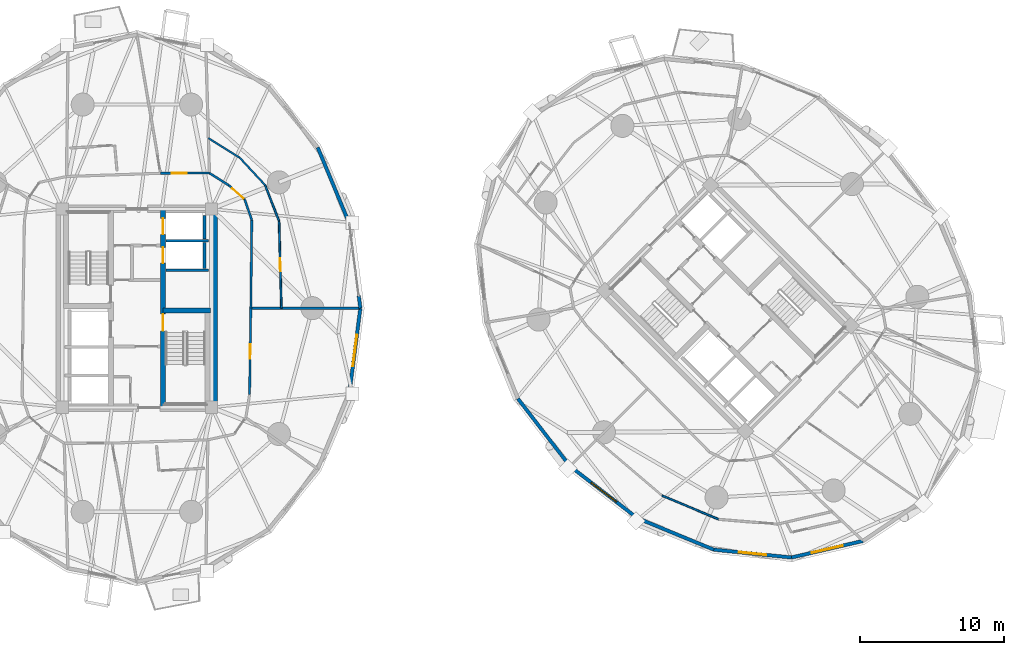
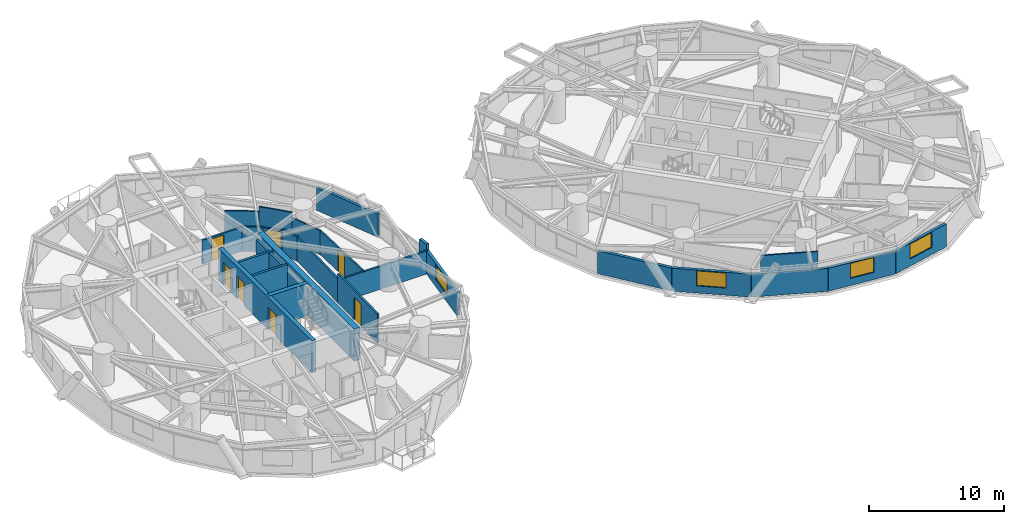
# One storey, part 12 of 20: 27 walls, 7 doors, 4 windows, 11 openings.
"""IFC4 building model written with IfcOpenShell, lengths in metres."""

from ifc_helpers import new_model, si_unit, direction, frame, frame_2d, origin, place, context, subcontext, project, spatial, rectangle, extrude, source, transform, mapped, material, layer, layer_set, type_object, element, fill, save


model = new_model("IFC4")

# Units and contexts
model_context = context("Model", 3, precision=1e-05, world=origin(), true_north=direction((0.0, 1.0)))
body_context = subcontext(model_context, "Body", "Model", "MODEL_VIEW")
ifc_project = project(units=[si_unit("LENGTHUNIT", "METRE"), si_unit("AREAUNIT", "SQUARE_METRE"), si_unit("VOLUMEUNIT", "CUBIC_METRE"), si_unit("PLANEANGLEUNIT", "RADIAN"), si_unit("MASSUNIT", "GRAM", prefix="KILO")], contexts=[model_context])

# Site, building, storey
site_placement = place(None, origin())
site = spatial("IfcSite", under=ifc_project, at=site_placement, CompositionType="ELEMENT")
building_placement = place(site_placement, origin())
building = spatial("IfcBuilding", under=site, at=building_placement, Name="Cununo Teusaquillo Station Towers", CompositionType="ELEMENT")
storey_placement = place(building_placement, frame((0.0, 0.0, 39.4599609375)))
storey = spatial("IfcBuildingStorey", under=building, at=storey_placement, Name="L11", CompositionType="ELEMENT", Elevation=39.4599609375)

# Walls
ifc_material_1 = material(Name="Concrete C50/60", Category="concrete")
ifc_layer_1 = layer(ifc_material_1, 0.199951171875)
ifc_layer_set_1 = layer_set([ifc_layer_1], Name="Concrete C50/60")
wall_type_1 = type_object("IfcWallType", Name="WL-CORE-200", PredefinedType="SHEAR", material=ifc_layer_set_1)
for number, where, z_axis, x_axis, name in (
    (1, (18.510009765625, 27.1298828125, 0.0), (0.0, 0.0, 1.0), (1.0, 0.0, 0.0), "L11 Tower A Low-Rise Lift Hoistway South Shear Wall"),
    (2, (18.510009765625, 29.175048828125, 0.0), (0.0, 0.0, 1.0), (1.0, 0.0, 0.0), "L11 Tower A Low-Rise Lift Hoistway Divider Shear Wall"),
):
    element("IfcWall", number, at=place(storey_placement, frame(where, z_axis=z_axis, x_axis=x_axis)), inside=storey, type_object=wall_type_1, Name=name, PredefinedType="SHEAR", context=body_context, shape_type="SweptSolid", body=[
        extrude(rectangle(XDim=2.969970703125, YDim=0.199951171875, at=frame_2d((1.48486328125, 0.0))), origin(), (0.0, 0.0, 1.0), 2.91015625),
    ])
wall_1_placement = place(storey_placement, frame((21.179931640625, 27.25, 0.0), z_axis=(0.0, 0.0, 1.0), x_axis=(0.0, 1.0, 0.0)))
element("IfcWall", 3, at=wall_1_placement, inside=storey, type_object=wall_type_1, Name="L11 Tower A Low-Rise Lift 1 Shaft Rear Shear Wall", PredefinedType="SHEAR", context=body_context, shape_type="SweptSolid", body=[
    extrude(rectangle(XDim=1.804931640625, YDim=0.199951171875, at=frame_2d((0.90234375, 0.0))), origin(), (0.0, 0.0, 1.0), 2.91015625),
])
wall_2_placement = place(storey_placement, frame((21.179931640625, 29.294921875, 0.0), z_axis=(0.0, 0.0, 1.0), x_axis=(0.0, 1.0, 0.0)))
element("IfcWall", 4, at=wall_2_placement, inside=storey, type_object=wall_type_1, Name="L11 Tower A Low-Rise Lift 2 Shaft Rear Shear Wall", PredefinedType="SHEAR", context=body_context, shape_type="SweptSolid", body=[
    extrude(rectangle(XDim=1.635009765625, YDim=0.199951171875, at=frame_2d((0.8173828125, 0.0))), origin(), (0.0, 0.0, 1.0), 2.91015625),
])

# Wall, openings, doors
ifc_material_2 = material(Name="Concrete C50/60", Category="concrete")
ifc_layer_2 = layer(ifc_material_2, 0.35009765625)
ifc_layer_set_2 = layer_set([ifc_layer_2], Name="Concrete C50/60")
wall_type_2 = type_object("IfcWallType", Name="WL-CORE-350", PredefinedType="SHEAR", material=ifc_layer_set_2)
wall_3_placement = place(storey_placement, frame((18.31494140625, 17.60009765625, 0.0), z_axis=(0.0, 0.0, 1.0), x_axis=(0.0, 1.0, 0.0)))
wall_3 = element("IfcWall", 5, at=wall_3_placement, inside=storey, type_object=wall_type_2, Name="L11 Tower A Core Shear Wall IE", PredefinedType="SHEAR", context=body_context, shape_type="SweptSolid", body=[
    extrude(rectangle(XDim=13.7998046875, YDim=0.35009765625, at=frame_2d((6.89990234375, 0.0))), origin(), (0.0, 0.0, 1.0), 2.91015625),
])
shared_shape_1 = source(origin(), body_context, "Body", "SweptSolid", [
    extrude(rectangle(XDim=1.10009765625, YDim=2.014892578125, at=frame_2d((0.550048828125, 1.00732421875))), frame((0.0, 0.18505859375, 0.0), z_axis=(0.0, -1.0, 0.0), x_axis=(1.0, 0.0, 0.0)), (0.0, 0.0, 1.0), 0.3701171875),
])
opening_1_placement = place(wall_3_placement, frame((10.02490234375, 0.0, 0.0)))
opening_1 = element("IfcOpeningElement", 6, at=opening_1_placement, cuts=wall_3, Name="Opening LD-01", PredefinedType="OPENING", context=body_context, shape_type="MappedRepresentation", body=[
    mapped(shared_shape_1, transform((0.0, 0.0, 0.0), x_axis=(1.0, 0.0, 0.0), y_axis=(0.0, 1.0, 0.0), z_axis=(0.0, 0.0, 1.0), scale=1.0)),
])
opening_2_placement = place(wall_3_placement, frame((12.02490234375, 0.0, 0.0)))
opening_2 = element("IfcOpeningElement", 7, at=opening_2_placement, cuts=wall_3, Name="Opening LD-01", PredefinedType="OPENING", context=body_context, shape_type="MappedRepresentation", body=[
    mapped(shared_shape_1, transform((0.0, 0.0, 0.0), x_axis=(1.0, 0.0, 0.0), y_axis=(0.0, 1.0, 0.0), z_axis=(0.0, 0.0, 1.0), scale=1.0)),
])
shared_shape_2 = source(origin(), body_context, "Body", "SweptSolid", [
    extrude(rectangle(XDim=1.14990234375, YDim=2.02001953125, at=frame_2d((0.574951171875, 1.010009765625))), frame((0.0, 0.18505859375, 0.0), z_axis=(0.0, -1.0, 0.0), x_axis=(1.0, 0.0, 0.0)), (0.0, 0.0, 1.0), 0.3701171875),
])
opening_3_placement = place(wall_3_placement, frame((5.330078125, 0.0, 0.0)))
opening_3 = element("IfcOpeningElement", 8, at=opening_3_placement, cuts=wall_3, Name="Opening D-ST1", PredefinedType="OPENING", context=body_context, shape_type="MappedRepresentation", body=[
    mapped(shared_shape_2, transform((0.0, 0.0, 0.0), x_axis=(1.0, 0.0, 0.0), y_axis=(0.0, 1.0, 0.0), z_axis=(0.0, 0.0, 1.0), scale=1.0)),
])
ifc_material_3 = material(Name="Galvanised fire-rated hollow steel door assembly", Category="steel")
door_type_1 = type_object("IfcDoorType", Name="DR-LIFT-1100", OperationType="SLIDING_TO_LEFT", PredefinedType="DOOR", material=ifc_material_3)
shared_shape_3 = source(origin(), body_context, "Body", "SweptSolid", [
    extrude(rectangle(XDim=1.10009765625, YDim=2.014892578125, at=frame_2d((0.550048828125, 1.00732421875))), frame((0.0, 0.02490234375, 0.0), z_axis=(0.0, -1.0, 0.0), x_axis=(1.0, 0.0, 0.0)), (0.0, 0.0, 1.0), 0.050048828125),
])
door_1_placement = place(opening_1_placement, origin())
door_1 = element("IfcDoor", 9, at=door_1_placement, inside=storey, type_object=door_type_1, Name="L11 Lift PL-T1-L1 Sliding Landing Door", OperationType="SLIDING_TO_LEFT", OverallHeight=2.014892578125, OverallWidth=1.10009765625, PredefinedType="DOOR", context=body_context, shape_type="MappedRepresentation", body=[
    mapped(shared_shape_3, transform((0.0, 0.0, 0.0), x_axis=(1.0, 0.0, 0.0), y_axis=(0.0, 1.0, 0.0), z_axis=(0.0, 0.0, 1.0), scale=1.0)),
])
fill(opening_1, door_1)
door_2_placement = place(opening_2_placement, origin())
door_2 = element("IfcDoor", 10, at=door_2_placement, inside=storey, type_object=door_type_1, Name="L11 Lift PL-T1-L2 Sliding Landing Door", OperationType="SLIDING_TO_RIGHT", OverallHeight=2.014892578125, OverallWidth=1.10009765625, PredefinedType="DOOR", context=body_context, shape_type="MappedRepresentation", body=[
    mapped(shared_shape_3, transform((0.0, 0.0, 0.0), x_axis=(1.0, 0.0, 0.0), y_axis=(0.0, 1.0, 0.0), z_axis=(0.0, 0.0, 1.0), scale=1.0)),
])
fill(opening_2, door_2)
ifc_material_4 = material(Name="Galvanised fire-rated hollow steel door assembly", Category="steel")
door_type_2 = type_object("IfcDoorType", Name="DR-STAIR-1150", OperationType="NOTDEFINED", PredefinedType="DOOR", material=ifc_material_4)
shared_shape_4 = source(origin(), body_context, "Body", "SweptSolid", [
    extrude(rectangle(XDim=1.14990234375, YDim=2.02001953125, at=frame_2d((0.574951171875, 1.010009765625))), frame((0.0, 0.02490234375, 0.0), z_axis=(0.0, -1.0, 0.0), x_axis=(1.0, 0.0, 0.0)), (0.0, 0.0, 1.0), 0.050048828125),
])
door_3_placement = place(opening_3_placement, origin())
door_3 = element("IfcDoor", 11, at=door_3_placement, inside=storey, type_object=door_type_2, Name="L11 Tower A Exit Stair 2 Fire Door", OperationType="SINGLE_SWING_LEFT", OverallHeight=2.02001953125, OverallWidth=1.14990234375, PredefinedType="DOOR", context=body_context, shape_type="MappedRepresentation", body=[
    mapped(shared_shape_4, transform((0.0, 0.0, 0.0), x_axis=(1.0, 0.0, 0.0), y_axis=(0.0, 1.0, 0.0), z_axis=(0.0, 0.0, 1.0), scale=1.0)),
])
fill(opening_3, door_3)

# Walls
wall_4_placement = place(storey_placement, frame((18.31494140625, 24.344970703125, 0.0), z_axis=(0.0, 0.0, 1.0), x_axis=(1.0, 0.0, 0.0)))
element("IfcWall", 12, at=wall_4_placement, inside=storey, type_object=wall_type_2, Name="L11 Tower A Core Shear Wall ST2N", PredefinedType="SHEAR", context=body_context, shape_type="SweptSolid", body=[
    extrude(rectangle(XDim=3.28515625, YDim=0.35009765625, at=frame_2d((1.642578125, 0.0))), origin(), (0.0, 0.0, 1.0), 2.91015625),
])
ifc_material_5 = material(Name="Concrete C60/75", Category="concrete")
ifc_layer_3 = layer(ifc_material_5, 0.5)
ifc_layer_set_3 = layer_set([ifc_layer_3], Name="Concrete C60/75")
wall_type_3 = type_object("IfcWallType", Name="WL-CORE-500", PredefinedType="SHEAR", material=ifc_layer_set_3)
wall_5_placement = place(storey_placement, frame((21.85009765625, 17.35009765625, 0.0), z_axis=(0.0, 0.0, 1.0), x_axis=(0.0, 1.0, 0.0)))
element("IfcWall", 13, at=wall_5_placement, inside=storey, type_object=wall_type_3, Name="L11 Tower A Core Shear Wall E", PredefinedType="SHEAR", context=body_context, shape_type="SweptSolid", body=[
    extrude(rectangle(XDim=14.2998046875, YDim=0.5, at=frame_2d((7.14990234375, 0.0))), origin(), (0.0, 0.0, 1.0), 2.91015625),
])
ifc_material_6 = material(Name="Precast concrete C40/50", Category="concrete")
ifc_layer_4 = layer(ifc_material_6, 0.239990234375)
ifc_layer_set_4 = layer_set([ifc_layer_4], Name="Precast concrete C40/50")
wall_type_4 = type_object("IfcWallType", Name="WL-EXT-240", PredefinedType="SOLIDWALL", material=ifc_layer_set_4)
wall_6_placement = place(storey_placement, frame((31.88720703125, 25.36279296875, 0.0), z_axis=(0.0, 0.0, 1.0), x_axis=(0.128523364007, -0.991706481225, 0.0)))
element("IfcWall", 14, at=wall_6_placement, inside=storey, type_object=wall_type_4, Name="L11 Tower A Column Pier Cladding Wall C00-PB", PredefinedType="SOLIDWALL", context=body_context, shape_type="SweptSolid", body=[
    extrude(rectangle(XDim=0.8701171875, YDim=0.239990234375, at=frame_2d((0.43505859375, 0.0))), origin(), (0.0, 0.0, 1.0), 2.635009765625),
])
wall_7_placement = place(storey_placement, frame((29.0390625, 35.650390625, 0.0), z_axis=(0.0, 0.0, 1.0), x_axis=(0.38430970593, -0.923204229804, 0.0)))
element("IfcWall", 15, at=wall_7_placement, inside=storey, type_object=wall_type_4, Name="L11 Tower A Exterior Facade Wall C01", PredefinedType="SOLIDWALL", context=body_context, shape_type="SweptSolid", body=[
    extrude(rectangle(XDim=5.728271484375, YDim=0.239990234375, at=frame_2d((2.8642578125, 0.0))), origin(), (0.0, 0.0, 1.0), 2.072998046875),
])

# Wall, opening, window
wall_8_placement = place(storey_placement, frame((31.9990234375, 24.5, 0.0), z_axis=(0.0, 0.0, 1.0), x_axis=(-0.128329107357, -0.991731637191, 0.0)))
wall_8 = element("IfcWall", 16, at=wall_8_placement, inside=storey, type_object=wall_type_4, Name="L11 Tower A Exterior Facade Wall C19", PredefinedType="SOLIDWALL", context=body_context, shape_type="SweptSolid", body=[
    extrude(rectangle(XDim=5.910888671875, YDim=0.239990234375, at=frame_2d((2.95556640625, 0.0))), origin(), (0.0, 0.0, 1.0), 2.072998046875),
])
shared_shape_5 = source(origin(), body_context, "Body", "SweptSolid", [
    extrude(rectangle(XDim=2.199951171875, YDim=1.35009765625, at=frame_2d((1.10009765625, 0.675048828125))), frame((0.0, 0.1298828125, 0.0), z_axis=(0.0, -1.0, 0.0), x_axis=(1.0, 0.0, 0.0)), (0.0, 0.0, 1.0), 0.260009765625),
])
opening_4_placement = place(wall_8_placement, frame((1.85498046875, 0.0, 0.64990234375)))
opening_4 = element("IfcOpeningElement", 17, at=opening_4_placement, cuts=wall_8, Name="Opening WN-01", PredefinedType="OPENING", context=body_context, shape_type="MappedRepresentation", body=[
    mapped(shared_shape_5, transform((0.0, 0.0, 0.0), x_axis=(1.0, 0.0, 0.0), y_axis=(0.0, 1.0, 0.0), z_axis=(0.0, 0.0, 1.0), scale=1.0)),
])
ifc_material_7 = material(Name="Ceramic-fritted dark low-E double glazing", Category="glass")
window_type_1 = type_object("IfcWindowType", Name="WIN-FRIT-2200", PartitioningType="DOUBLE_PANEL_VERTICAL", PredefinedType="WINDOW", material=ifc_material_7)
shared_shape_6 = source(origin(), body_context, "Body", "SweptSolid", [
    extrude(rectangle(XDim=2.199951171875, YDim=1.35009765625, at=frame_2d((1.10009765625, 0.675048828125))), frame((0.0, 0.030029296875, 0.0), z_axis=(0.0, -1.0, 0.0), x_axis=(1.0, 0.0, 0.0)), (0.0, 0.0, 1.0), 0.06005859375),
])
window_1_placement = place(opening_4_placement, origin())
window_1 = element("IfcWindow", 18, at=window_1_placement, inside=storey, type_object=window_type_1, Name="L11 Tower A Facade Window C19", OverallHeight=1.35009765625, OverallWidth=2.199951171875, PartitioningType="DOUBLE_PANEL_VERTICAL", PredefinedType="WINDOW", context=body_context, shape_type="MappedRepresentation", body=[
    mapped(shared_shape_6, transform((0.0, 0.0, 0.0), x_axis=(1.0, 0.0, 0.0), y_axis=(0.0, 1.0, 0.0), z_axis=(0.0, 0.0, 1.0), scale=1.0)),
])
fill(opening_4, window_1)

# Wall
wall_9_placement = place(storey_placement, frame((46.54052734375, 13.54052734375, 0.0), z_axis=(0.0, 0.0, 1.0), x_axis=(-0.610494906082, 0.792020182601, 0.0)))
element("IfcWall", 19, at=wall_9_placement, inside=storey, type_object=wall_type_4, Name="L11 Tower B Exterior Facade Wall C09", PredefinedType="SOLIDWALL", context=body_context, shape_type="SweptSolid", body=[
    extrude(rectangle(XDim=5.9111328125, YDim=0.239990234375, at=frame_2d((2.95556640625, 0.0))), origin(), (0.0, 0.0, 1.0), 2.072998046875),
])

# Wall, opening, window
wall_10_placement = place(storey_placement, frame((51.22216796875, 9.931884765625, 0.0), z_axis=(0.0, 0.0, 1.0), x_axis=(-0.792020182601, 0.610494906082, 0.0)))
wall_10 = element("IfcWall", 20, at=wall_10_placement, inside=storey, type_object=wall_type_4, Name="L11 Tower B Exterior Facade Wall C10", PredefinedType="SOLIDWALL", context=body_context, shape_type="SweptSolid", body=[
    extrude(rectangle(XDim=5.9111328125, YDim=0.239990234375, at=frame_2d((2.95556640625, 0.0))), origin(), (0.0, 0.0, 1.0), 2.072998046875),
])
opening_5_placement = place(wall_10_placement, frame((1.85498046875, 0.0, 0.64990234375)))
opening_5 = element("IfcOpeningElement", 21, at=opening_5_placement, cuts=wall_10, Name="Opening WN-01", PredefinedType="OPENING", context=body_context, shape_type="MappedRepresentation", body=[
    mapped(shared_shape_5, transform((0.0, 0.0, 0.0), x_axis=(1.0, 0.0, 0.0), y_axis=(0.0, 1.0, 0.0), z_axis=(0.0, 0.0, 1.0), scale=1.0)),
])
window_2_placement = place(opening_5_placement, origin())
window_2 = element("IfcWindow", 22, at=window_2_placement, inside=storey, type_object=window_type_1, Name="L11 Tower B Facade Window C10", OverallHeight=1.35009765625, OverallWidth=2.199951171875, PartitioningType="DOUBLE_PANEL_VERTICAL", PredefinedType="WINDOW", context=body_context, shape_type="MappedRepresentation", body=[
    mapped(shared_shape_6, transform((0.0, 0.0, 0.0), x_axis=(1.0, 0.0, 0.0), y_axis=(0.0, 1.0, 0.0), z_axis=(0.0, 0.0, 1.0), scale=1.0)),
])
fill(opening_5, window_2)

# Wall
wall_11_placement = place(storey_placement, frame((56.51806640625, 7.7490234375, 0.0), z_axis=(0.0, 0.0, 1.0), x_axis=(-0.924542988536, 0.381077764176, 0.0)))
element("IfcWall", 23, at=wall_11_placement, inside=storey, type_object=wall_type_4, Name="L11 Tower B Exterior Facade Wall C11", PredefinedType="SOLIDWALL", context=body_context, shape_type="SweptSolid", body=[
    extrude(rectangle(XDim=5.72802734375, YDim=0.239990234375, at=frame_2d((2.864013671875, 0.0))), origin(), (0.0, 0.0, 1.0), 2.072998046875),
])

# Wall, opening, window
wall_12_placement = place(storey_placement, frame((61.91015625, 7.2060546875, 0.0), z_axis=(0.0, 0.0, 1.0), x_axis=(-0.994968263437, 0.100190592135, 0.0)))
wall_12 = element("IfcWall", 24, at=wall_12_placement, inside=storey, type_object=wall_type_4, Name="L11 Tower B Exterior Facade Wall C12", PredefinedType="SOLIDWALL", context=body_context, shape_type="SweptSolid", body=[
    extrude(rectangle(XDim=5.41943359375, YDim=0.239990234375, at=frame_2d((2.709716796875, 0.0))), origin(), (0.0, 0.0, 1.0), 2.072998046875),
])
shared_shape_7 = source(origin(), body_context, "Body", "SweptSolid", [
    extrude(rectangle(XDim=1.89990234375, YDim=1.35009765625, at=frame_2d((0.949951171875, 0.675048828125))), frame((0.0, 0.1298828125, 0.0), z_axis=(0.0, -1.0, 0.0), x_axis=(1.0, 0.0, 0.0)), (0.0, 0.0, 1.0), 0.260009765625),
])
opening_6_placement = place(wall_12_placement, frame((1.760009765625, 0.0, 0.64990234375)))
opening_6 = element("IfcOpeningElement", 25, at=opening_6_placement, cuts=wall_12, Name="Opening WN-02", PredefinedType="OPENING", context=body_context, shape_type="MappedRepresentation", body=[
    mapped(shared_shape_7, transform((0.0, 0.0, 0.0), x_axis=(1.0, 0.0, 0.0), y_axis=(0.0, 1.0, 0.0), z_axis=(0.0, 0.0, 1.0), scale=1.0)),
])
ifc_material_8 = material(Name="Operable acoustic tinted low-E double glazing", Category="glass")
window_type_2 = type_object("IfcWindowType", Name="WIN-OPER-1900", PartitioningType="DOUBLE_PANEL_VERTICAL", PredefinedType="WINDOW", material=ifc_material_8)
shared_shape_8 = source(origin(), body_context, "Body", "SweptSolid", [
    extrude(rectangle(XDim=1.89990234375, YDim=1.35009765625, at=frame_2d((0.949951171875, 0.675048828125))), frame((0.0, 0.030029296875, 0.0), z_axis=(0.0, -1.0, 0.0), x_axis=(1.0, 0.0, 0.0)), (0.0, 0.0, 1.0), 0.06005859375),
])
window_3_placement = place(opening_6_placement, origin())
window_3 = element("IfcWindow", 26, at=window_3_placement, inside=storey, type_object=window_type_2, Name="L11 Tower B Facade Window C12", OverallHeight=1.35009765625, OverallWidth=1.89990234375, PartitioningType="DOUBLE_PANEL_VERTICAL", PredefinedType="WINDOW", context=body_context, shape_type="MappedRepresentation", body=[
    mapped(shared_shape_8, transform((0.0, 0.0, 0.0), x_axis=(1.0, 0.0, 0.0), y_axis=(0.0, 1.0, 0.0), z_axis=(0.0, 0.0, 1.0), scale=1.0)),
])
fill(opening_6, window_3)

wall_13_placement = place(storey_placement, frame((66.87060546875, 8.35595703125, 0.0), z_axis=(0.0, 0.0, 1.0), x_axis=(-0.974167686491, -0.22582585901, 0.0)))
wall_13 = element("IfcWall", 27, at=wall_13_placement, inside=storey, type_object=wall_type_4, Name="L11 Tower B Exterior Facade Wall C13", PredefinedType="SOLIDWALL", context=body_context, shape_type="SweptSolid", body=[
    extrude(rectangle(XDim=5.092041015625, YDim=0.239990234375, at=frame_2d((2.5458984375, 0.0))), origin(), (0.0, 0.0, 1.0), 2.072998046875),
])
opening_7_placement = place(wall_13_placement, frame((1.446044921875, 0.0, 0.64990234375)))
opening_7 = element("IfcOpeningElement", 28, at=opening_7_placement, cuts=wall_13, Name="Opening WN-01", PredefinedType="OPENING", context=body_context, shape_type="MappedRepresentation", body=[
    mapped(shared_shape_5, transform((0.0, 0.0, 0.0), x_axis=(1.0, 0.0, 0.0), y_axis=(0.0, 1.0, 0.0), z_axis=(0.0, 0.0, 1.0), scale=1.0)),
])
window_4_placement = place(opening_7_placement, origin())
window_4 = element("IfcWindow", 29, at=window_4_placement, inside=storey, type_object=window_type_1, Name="L11 Tower B Facade Window C13", OverallHeight=1.35009765625, OverallWidth=2.199951171875, PartitioningType="DOUBLE_PANEL_VERTICAL", PredefinedType="WINDOW", context=body_context, shape_type="MappedRepresentation", body=[
    mapped(shared_shape_6, transform((0.0, 0.0, 0.0), x_axis=(1.0, 0.0, 0.0), y_axis=(0.0, 1.0, 0.0), z_axis=(0.0, 0.0, 1.0), scale=1.0)),
])
fill(opening_7, window_4)

# Wall, opening, door
ifc_material_9 = material(Name="Fire-rated gypsum plasterboard partition assembly", Category="gypsum")
ifc_layer_5 = layer(ifc_material_9, 0.125)
ifc_layer_set_5 = layer_set([ifc_layer_5], Name="Fire-rated gypsum plasterboard partition assembly")
wall_type_5 = type_object("IfcWallType", Name="WL-PART-125", PredefinedType="PARTITIONING", material=ifc_layer_set_5)
wall_14_placement = place(storey_placement, frame((26.522216796875, 24.5, 0.0), z_axis=(0.0, 0.0, 1.0), x_axis=(-0.026902612335, 0.999638059224, 0.0)))
wall_14 = element("IfcWall", 30, at=wall_14_placement, inside=storey, type_object=wall_type_5, Name="L11 Tower A Hotel Grand Dining & Tea Lounge Concentric Partition Wall C00", PredefinedType="PARTITIONING", context=body_context, shape_type="SweptSolid", body=[
    extrude(rectangle(XDim=6.0439453125, YDim=0.125, at=frame_2d((3.02197265625, 0.0))), origin(), (0.0, 0.0, 1.0), 2.158935546875),
])
shared_shape_9 = source(origin(), body_context, "Body", "SweptSolid", [
    extrude(rectangle(XDim=0.89990234375, YDim=2.0048828125, at=frame_2d((0.449951171875, 1.00244140625))), frame((0.0, 0.072509765625, 0.0), z_axis=(0.0, -1.0, 0.0), x_axis=(1.0, 0.0, 0.0)), (0.0, 0.0, 1.0), 0.14501953125),
])
opening_8_placement = place(wall_14_placement, frame((2.572021484375, 0.0, 0.0)))
opening_8 = element("IfcOpeningElement", 31, at=opening_8_placement, cuts=wall_14, Name="Opening D-IN1", PredefinedType="OPENING", context=body_context, shape_type="MappedRepresentation", body=[
    mapped(shared_shape_9, transform((0.0, 0.0, 0.0), x_axis=(1.0, 0.0, 0.0), y_axis=(0.0, 1.0, 0.0), z_axis=(0.0, 0.0, 1.0), scale=1.0)),
])
ifc_material_10 = material(Name="Acoustic solid-core hardwood leaf assembly", Category="wood")
door_type_3 = type_object("IfcDoorType", Name="DR-INT-900", OperationType="NOTDEFINED", PredefinedType="DOOR", material=ifc_material_10)
shared_shape_10 = source(origin(), body_context, "Body", "SweptSolid", [
    extrude(rectangle(XDim=0.89990234375, YDim=2.0048828125, at=frame_2d((0.449951171875, 1.00244140625))), frame((0.0, 0.02490234375, 0.0), z_axis=(0.0, -1.0, 0.0), x_axis=(1.0, 0.0, 0.0)), (0.0, 0.0, 1.0), 0.050048828125),
])
door_4_placement = place(opening_8_placement, origin())
door_4 = element("IfcDoor", 32, at=door_4_placement, inside=storey, type_object=door_type_3, Name="L11 Tower A Hotel Grand Dining & Tea Lounge Connecting Door", OperationType="SINGLE_SWING_LEFT", OverallHeight=2.0048828125, OverallWidth=0.89990234375, PredefinedType="DOOR", context=body_context, shape_type="MappedRepresentation", body=[
    mapped(shared_shape_10, transform((0.0, 0.0, 0.0), x_axis=(1.0, 0.0, 0.0), y_axis=(0.0, 1.0, 0.0), z_axis=(0.0, 0.0, 1.0), scale=1.0)),
])
fill(opening_8, door_4)

# Walls
wall_15_placement = place(storey_placement, frame((26.359619140625, 30.541748046875, 0.0), z_axis=(0.0, 0.0, 1.0), x_axis=(-0.361464762384, 0.932385770781, 0.0)))
element("IfcWall", 33, at=wall_15_placement, inside=storey, type_object=wall_type_5, Name="L11 Tower A Hotel Grand Dining & Tea Lounge Concentric Partition Wall C01", PredefinedType="PARTITIONING", context=body_context, shape_type="SweptSolid", body=[
    extrude(rectangle(XDim=2.67724609375, YDim=0.125, at=frame_2d((1.338623046875, 0.0))), origin(), (0.0, 0.0, 1.0), 2.158935546875),
])
wall_16_placement = place(storey_placement, frame((25.391845703125, 33.0380859375, 0.0), z_axis=(0.0, 0.0, 1.0), x_axis=(-0.67989141147, 0.733312804068, 0.0)))
element("IfcWall", 34, at=wall_16_placement, inside=storey, type_object=wall_type_5, Name="L11 Tower A Hotel Grand Dining & Tea Lounge Concentric Partition Wall C02", PredefinedType="PARTITIONING", context=body_context, shape_type="SweptSolid", body=[
    extrude(rectangle(XDim=2.57763671875, YDim=0.125, at=frame_2d((1.288818359375, 0.0))), origin(), (0.0, 0.0, 1.0), 2.635009765625),
])
wall_17_placement = place(storey_placement, frame((23.639404296875, 34.92822265625, 0.0), z_axis=(0.0, 0.0, 1.0), x_axis=(-0.847294097071, 0.531124009125, 0.0)))
element("IfcWall", 35, at=wall_17_placement, inside=storey, type_object=wall_type_5, Name="L11 Tower A Hotel Grand Dining & Tea Lounge Concentric Partition Wall C03", PredefinedType="PARTITIONING", context=body_context, shape_type="SweptSolid", body=[
    extrude(rectangle(XDim=2.57373046875, YDim=0.125, at=frame_2d((1.286865234375, 0.0))), origin(), (0.0, 0.0, 1.0), 2.205078125),
])
wall_18_placement = place(storey_placement, frame((52.929931640625, 11.501220703125, 0.0), z_axis=(0.0, 0.0, 1.0), x_axis=(0.922051248037, -0.387067818338, 0.0)))
element("IfcWall", 36, at=wall_18_placement, inside=storey, type_object=wall_type_5, Name="L11 Tower B Imperial Corner Hotel Suite Concentric Partition Wall C11", PredefinedType="PARTITIONING", context=body_context, shape_type="SweptSolid", body=[
    extrude(rectangle(XDim=4.260009765625, YDim=0.125, at=frame_2d((2.1298828125, 0.0))), origin(), (0.0, 0.0, 1.0), 2.158935546875),
])
ifc_material_11 = material(Name="Fire-rated gypsum plasterboard partition assembly", Category="gypsum")
ifc_layer_6 = layer(ifc_material_11, 0.14990234375)
ifc_layer_set_6 = layer_set([ifc_layer_6], Name="Fire-rated gypsum plasterboard partition assembly")
wall_type_6 = type_object("IfcWallType", Name="WL-PART-150", PredefinedType="PARTITIONING", material=ifc_layer_set_6)
wall_19_placement = place(storey_placement, frame((24.39990234375, 24.5, 0.0), z_axis=(0.0, 0.0, 1.0), x_axis=(0.011299841544, 0.999936154752, 0.0)))
element("IfcWall", 37, at=wall_19_placement, inside=storey, type_object=wall_type_6, Name="L11 Tower A Corridor Ring Wall C00", PredefinedType="PARTITIONING", context=body_context, shape_type="SweptSolid", body=[
    extrude(rectangle(XDim=6.114501953125, YDim=0.14990234375, at=frame_2d((3.05712890625, 0.0))), origin(), (0.0, 0.0, 1.0), 2.158935546875),
])
wall_20_placement = place(storey_placement, frame((24.468994140625, 30.614013671875, 0.0), z_axis=(0.0, 0.0, 1.0), x_axis=(-0.327228335485, 0.944945298129, 0.0)))
element("IfcWall", 38, at=wall_20_placement, inside=storey, type_object=wall_type_6, Name="L11 Tower A Corridor Ring Wall C01", PredefinedType="PARTITIONING", context=body_context, shape_type="SweptSolid", body=[
    extrude(rectangle(XDim=1.4951171875, YDim=0.14990234375, at=frame_2d((0.74755859375, 0.0))), origin(), (0.0, 0.0, 1.0), 2.205078125),
])

# Wall, opening, door
wall_21_placement = place(storey_placement, frame((23.979736328125, 32.02685546875, 0.0), z_axis=(0.0, 0.0, 1.0), x_axis=(-0.742353224332, 0.670008724065, 0.0)))
wall_21 = element("IfcWall", 39, at=wall_21_placement, inside=storey, type_object=wall_type_6, Name="L11 Tower A Corridor Ring Wall C02", PredefinedType="PARTITIONING", context=body_context, shape_type="SweptSolid", body=[
    extrude(rectangle(XDim=1.48486328125, YDim=0.14990234375, at=frame_2d((0.742431640625, 0.0))), origin(), (0.0, 0.0, 1.0), 2.158935546875),
])
shared_shape_11 = source(origin(), body_context, "Body", "SweptSolid", [
    extrude(rectangle(XDim=1.050048828125, YDim=2.014892578125, at=frame_2d((0.52490234375, 1.00732421875))), frame((0.0, 0.0849609375, 0.0), z_axis=(0.0, -1.0, 0.0), x_axis=(1.0, 0.0, 0.0)), (0.0, 0.0, 1.0), 0.169921875),
])
opening_9_placement = place(wall_21_placement, frame((0.1201171875, 0.0, 0.0)))
opening_9 = element("IfcOpeningElement", 40, at=opening_9_placement, cuts=wall_21, Name="Opening D-SU1", PredefinedType="OPENING", context=body_context, shape_type="MappedRepresentation", body=[
    mapped(shared_shape_11, transform((0.0, 0.0, 0.0), x_axis=(1.0, 0.0, 0.0), y_axis=(0.0, 1.0, 0.0), z_axis=(0.0, 0.0, 1.0), scale=1.0)),
])
ifc_material_12 = material(Name="Acoustic solid-core hardwood leaf assembly", Category="wood")
door_type_4 = type_object("IfcDoorType", Name="DR-SUITE-1050", OperationType="NOTDEFINED", PredefinedType="DOOR", material=ifc_material_12)
shared_shape_12 = source(origin(), body_context, "Body", "SweptSolid", [
    extrude(rectangle(XDim=1.050048828125, YDim=2.014892578125, at=frame_2d((0.52490234375, 1.00732421875))), frame((0.0, 0.02490234375, 0.0), z_axis=(0.0, -1.0, 0.0), x_axis=(1.0, 0.0, 0.0)), (0.0, 0.0, 1.0), 0.050048828125),
])
door_5_placement = place(opening_9_placement, origin())
door_5 = element("IfcDoor", 41, at=door_5_placement, inside=storey, type_object=door_type_4, Name="L11 Tower A Hotel Grand Dining & Tea Lounge Entrance Door", OperationType="SINGLE_SWING_RIGHT", OverallHeight=2.014892578125, OverallWidth=1.050048828125, PredefinedType="DOOR", context=body_context, shape_type="MappedRepresentation", body=[
    mapped(shared_shape_12, transform((0.0, 0.0, 0.0), x_axis=(1.0, 0.0, 0.0), y_axis=(0.0, 1.0, 0.0), z_axis=(0.0, 0.0, 1.0), scale=1.0)),
])
fill(opening_9, door_5)

# Wall
wall_22_placement = place(storey_placement, frame((22.87744140625, 33.021728515625, 0.0), z_axis=(0.0, 0.0, 1.0), x_axis=(-0.845895608855, 0.533348496689, 0.0)))
element("IfcWall", 42, at=wall_22_placement, inside=storey, type_object=wall_type_6, Name="L11 Tower A Corridor Ring Wall C03", PredefinedType="PARTITIONING", context=body_context, shape_type="SweptSolid", body=[
    extrude(rectangle(XDim=1.5966796875, YDim=0.14990234375, at=frame_2d((0.79833984375, 0.0))), origin(), (0.0, 0.0, 1.0), 2.205078125),
])

# Wall, opening, door
wall_23_placement = place(storey_placement, frame((21.52685546875, 33.873291015625, 0.0), z_axis=(0.0, 0.0, 1.0), x_axis=(-0.999991838845, -0.004040079574, 0.0)))
wall_23 = element("IfcWall", 43, at=wall_23_placement, inside=storey, type_object=wall_type_6, Name="L11 Tower A Corridor Ring Wall C04", PredefinedType="PARTITIONING", context=body_context, shape_type="SweptSolid", body=[
    extrude(rectangle(XDim=3.384033203125, YDim=0.14990234375, at=frame_2d((1.69189453125, 0.0))), origin(), (0.0, 0.0, 1.0), 2.158935546875),
])
opening_10_placement = place(wall_23_placement, frame((1.5595703125, 0.0, 0.0)))
opening_10 = element("IfcOpeningElement", 44, at=opening_10_placement, cuts=wall_23, Name="Opening D-SU1", PredefinedType="OPENING", context=body_context, shape_type="MappedRepresentation", body=[
    mapped(shared_shape_11, transform((0.0, 0.0, 0.0), x_axis=(1.0, 0.0, 0.0), y_axis=(0.0, 1.0, 0.0), z_axis=(0.0, 0.0, 1.0), scale=1.0)),
])
door_6_placement = place(opening_10_placement, origin())
door_6 = element("IfcDoor", 45, at=door_6_placement, inside=storey, type_object=door_type_4, Name="L11 Tower A Royal Corner Hotel Suite Entrance Door", OperationType="SINGLE_SWING_RIGHT", OverallHeight=2.014892578125, OverallWidth=1.050048828125, PredefinedType="DOOR", context=body_context, shape_type="MappedRepresentation", body=[
    mapped(shared_shape_12, transform((0.0, 0.0, 0.0), x_axis=(1.0, 0.0, 0.0), y_axis=(0.0, 1.0, 0.0), z_axis=(0.0, 0.0, 1.0), scale=1.0)),
])
fill(opening_10, door_6)

wall_24_placement = place(storey_placement, frame((24.3134765625, 18.496337890625, 0.0), z_axis=(0.0, 0.0, 1.0), x_axis=(0.014394019188, 0.999896400739, 0.0)))
wall_24 = element("IfcWall", 46, at=wall_24_placement, inside=storey, type_object=wall_type_6, Name="L11 Tower A Corridor Ring Wall C19", PredefinedType="PARTITIONING", context=body_context, shape_type="SweptSolid", body=[
    extrude(rectangle(XDim=6.00439453125, YDim=0.14990234375, at=frame_2d((3.002197265625, 0.0))), origin(), (0.0, 0.0, 1.0), 2.635009765625),
])
shared_shape_13 = source(origin(), body_context, "Body", "SweptSolid", [
    extrude(rectangle(XDim=1.0, YDim=2.014892578125, at=frame_2d((0.5, 1.00732421875))), frame((0.0, 0.0849609375, 0.0), z_axis=(0.0, -1.0, 0.0), x_axis=(1.0, 0.0, 0.0)), (0.0, 0.0, 1.0), 0.169921875),
])
opening_11_placement = place(wall_24_placement, frame((2.502197265625, 0.0, 0.0)))
opening_11 = element("IfcOpeningElement", 47, at=opening_11_placement, cuts=wall_24, Name="Opening D-AC1", PredefinedType="OPENING", context=body_context, shape_type="MappedRepresentation", body=[
    mapped(shared_shape_13, transform((0.0, 0.0, 0.0), x_axis=(1.0, 0.0, 0.0), y_axis=(0.0, 1.0, 0.0), z_axis=(0.0, 0.0, 1.0), scale=1.0)),
])
ifc_material_13 = material(Name="Acoustic solid-core hardwood leaf assembly", Category="wood")
door_type_5 = type_object("IfcDoorType", Name="DR-ACC-1000", OperationType="NOTDEFINED", PredefinedType="DOOR", material=ifc_material_13)
shared_shape_14 = source(origin(), body_context, "Body", "SweptSolid", [
    extrude(rectangle(XDim=1.0, YDim=2.014892578125, at=frame_2d((0.5, 1.00732421875))), frame((0.0, 0.02490234375, 0.0), z_axis=(0.0, -1.0, 0.0), x_axis=(1.0, 0.0, 0.0)), (0.0, 0.0, 1.0), 0.050048828125),
])
door_7_placement = place(opening_11_placement, origin())
door_7 = element("IfcDoor", 48, at=door_7_placement, inside=storey, type_object=door_type_5, Name="L11 Tower A Public Accessible Restroom WC Entrance Door", OperationType="SINGLE_SWING_RIGHT", OverallHeight=2.014892578125, OverallWidth=1.0, PredefinedType="DOOR", context=body_context, shape_type="MappedRepresentation", body=[
    mapped(shared_shape_14, transform((0.0, 0.0, 0.0), x_axis=(1.0, 0.0, 0.0), y_axis=(0.0, 1.0, 0.0), z_axis=(0.0, 0.0, 1.0), scale=1.0)),
])
fill(opening_11, door_7)

# Wall
ifc_material_14 = material(Name="Fire-rated gypsum plasterboard partition assembly", Category="gypsum")
ifc_layer_7 = layer(ifc_material_14, 0.159912109375)
ifc_layer_set_7 = layer_set([ifc_layer_7], Name="Fire-rated gypsum plasterboard partition assembly")
wall_type_7 = type_object("IfcWallType", Name="WL-PART-160", PredefinedType="PARTITIONING", material=ifc_layer_set_7)
wall_25_placement = place(storey_placement, frame((24.39990234375, 24.5, 0.0), z_axis=(0.0, 0.0, 1.0), x_axis=(1.0, 0.0, 0.0)))
element("IfcWall", 49, at=wall_25_placement, inside=storey, type_object=wall_type_7, Name="L11 Tower A Radial Suite Partition R01", PredefinedType="PARTITIONING", context=body_context, shape_type="SweptSolid", body=[
    extrude(rectangle(XDim=7.5791015625, YDim=0.159912109375, at=frame_2d((3.78955078125, 0.0))), origin(), (0.0, 0.0, 1.0), 2.072998046875),
])

save(model, "model.ifc")
